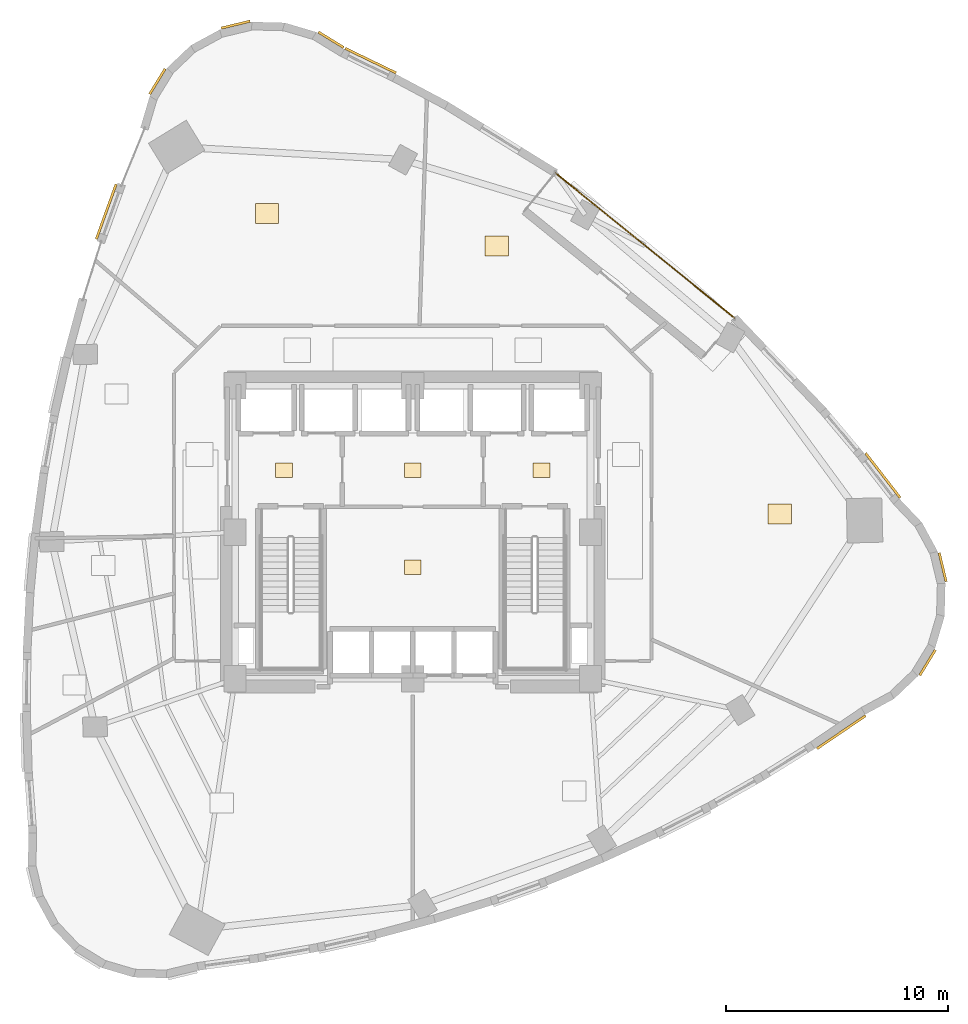
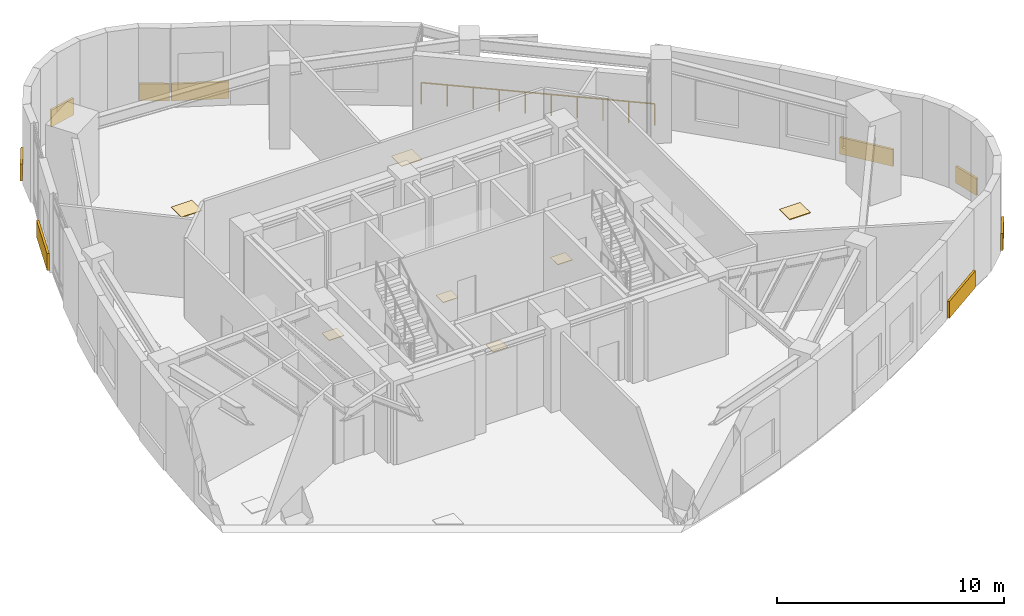
# One storey, part 16 of 16: 16 coverings, 1 railing.
"""IFC4 building model written with IfcOpenShell, lengths in metres."""

from ifc_helpers import new_model, si_unit, direction, frame, origin, origin_2d, place, context, subcontext, project, spatial, rectangle, circle, extrude, material, layer, layer_set, type_object, element, save


model = new_model("IFC4")

# Units and contexts
model_context = context("Model", 3, precision=1e-05, world=origin(), true_north=direction((0.0, 1.0)))
body_context = subcontext(model_context, "Body", "Model", "MODEL_VIEW")
ifc_project = project(units=[si_unit("LENGTHUNIT", "METRE"), si_unit("AREAUNIT", "SQUARE_METRE"), si_unit("VOLUMEUNIT", "CUBIC_METRE"), si_unit("PLANEANGLEUNIT", "RADIAN"), si_unit("MASSUNIT", "GRAM", prefix="KILO")], contexts=[model_context])

# Site, building, storey
site_placement = place(None, origin())
site = spatial("IfcSite", under=ifc_project, at=site_placement, CompositionType="ELEMENT")
building_placement = place(site_placement, origin())
building = spatial("IfcBuilding", under=site, at=building_placement, Name="Ndelora Gate Hotel", CompositionType="ELEMENT")
storey_placement = place(building_placement, frame((0.0, 0.0, 92.75)))
storey = spatial("IfcBuildingStorey", under=building, at=storey_placement, Name="L22", CompositionType="ELEMENT", Elevation=92.75)

# Coverings
ifc_material_1 = material(Name="Terracotta Fired Clay Brick Slip Cladding", Category="masonry")
ifc_layer_1 = layer(ifc_material_1, 0.110107421875)
ifc_layer_set_1 = layer_set([ifc_layer_1], Name="Terracotta Fired Clay Brick Slip Cladding")
covering_type_1 = type_object("IfcCoveringType", Name="COV-CLAD-BRK", PredefinedType="CLADDING", material=ifc_layer_set_1)
for number, where, z_axis, x_axis, name in (
    (1, (-3.680419921875, 22.176025390625, 0.10009765625), (0.0, 0.0, 1.0), (-0.852640164354, 0.522498564716, 0.0), "L22 Rounded-Corner Brick Cladding Band 1"),
    (2, (-7.97900390625, 22.85693359375, 0.10009765625), (0.0, 0.0, 1.0), (0.972369920398, 0.233445363856, 0.0), "L22 Rounded-Corner Brick Cladding Band 4"),
    (3, (-11.5, 20.298583984375, 0.10009765625), (0.0, 0.0, 1.0), (0.522498564716, 0.852640164354, 0.0), "L22 Rounded-Corner Brick Cladding Band 7"),
):
    element("IfcCovering", number, at=place(storey_placement, frame(where, z_axis=z_axis, x_axis=x_axis)), inside=storey, type_object=covering_type_1, Name=name, PredefinedType="CLADDING", context=body_context, shape_type="SweptSolid", body=[
        extrude(rectangle(XDim=1.3359375, YDim=0.110107421875, at=origin_2d()), origin(), (0.0, 0.0, 1.0), 0.89990234375),
    ])
covering_1_placement = place(storey_placement, frame((-13.8037109375, 14.436279296875, 0.10009765625), z_axis=(0.0, 0.0, 1.0), x_axis=(0.339230517808, 0.940703277228, 0.0)))
element("IfcCovering", 4, at=covering_1_placement, inside=storey, type_object=covering_type_1, Name="L22 Rounded-Corner Brick Cladding Band 10", PredefinedType="CLADDING", context=body_context, shape_type="SweptSolid", body=[
    extrude(rectangle(XDim=2.6279296875, YDim=0.110107421875, at=origin_2d()), origin(), (0.0, 0.0, 1.0), 0.89990234375),
])
covering_2_placement = place(storey_placement, frame((19.295654296875, -9.00390625, 0.10009765625), z_axis=(0.0, 0.0, 1.0), x_axis=(0.827472780913, 0.561505829755, 0.0)))
element("IfcCovering", 5, at=covering_2_placement, inside=storey, type_object=covering_type_1, Name="L22 Rounded-Corner Brick Cladding Band 40", PredefinedType="CLADDING", context=body_context, shape_type="SweptSolid", body=[
    extrude(rectangle(XDim=2.65087890625, YDim=0.110107421875, at=origin_2d()), origin(), (0.0, 0.0, 1.0), 0.89990234375),
])
for number, where, z_axis, x_axis, name in (
    (6, (23.180419921875, -5.87451171875, 0.10009765625), (0.0, 0.0, 1.0), (0.522498564716, 0.852640164354, 0.0), "L22 Rounded-Corner Brick Cladding Band 43"),
    (7, (23.861083984375, -1.575927734375, 0.10009765625), (0.0, 0.0, 1.0), (-0.233445363856, 0.972369920398, 0.0), "L22 Rounded-Corner Brick Cladding Band 46"),
):
    element("IfcCovering", number, at=place(storey_placement, frame(where, z_axis=z_axis, x_axis=x_axis)), inside=storey, type_object=covering_type_1, Name=name, PredefinedType="CLADDING", context=body_context, shape_type="SweptSolid", body=[
        extrude(rectangle(XDim=1.3359375, YDim=0.110107421875, at=origin_2d()), origin(), (0.0, 0.0, 1.0), 0.89990234375),
    ])
for number, where, z_axis, x_axis, name in (
    (8, (21.168212890625, 2.5576171875, 0.10009765625), (0.0, 0.0, 1.0), (-0.612769136253, 0.790261972801, 0.0), "L22 Rounded-Corner Brick Cladding Band 49"),
    (9, (-1.8994140625, 21.2373046875, 0.10009765625), (0.0, 0.0, 1.0), (-0.900394719846, 0.435073957475, 0.0), "L22 Rounded-Corner Brick Cladding Band 58"),
):
    element("IfcCovering", number, at=place(storey_placement, frame(where, z_axis=z_axis, x_axis=x_axis)), inside=storey, type_object=covering_type_1, Name=name, PredefinedType="CLADDING", context=body_context, shape_type="SweptSolid", body=[
        extrude(rectangle(XDim=2.5419921875, YDim=0.110107421875, at=origin_2d()), origin(), (0.0, 0.0, 1.0), 0.89990234375),
    ])
ifc_material_2 = material(Name="Engineered Highland Oak Parquet", Category="wood")
ifc_layer_2 = layer(ifc_material_2, 0.030029296875)
ifc_layer_set_2 = layer_set([ifc_layer_2], Name="Engineered Highland Oak Parquet")
covering_type_2 = type_object("IfcCoveringType", Name="COV-FLR-PARQ", PredefinedType="FLOORING", material=ifc_layer_set_2)
for number, where, z_axis, x_axis, name in (
    (10, (16.523193359375, 0.824462890625, 0.0), (0.0, 0.0, 1.0), (1.0, 0.0, 0.0), "L22 Aromatherapy Thermal Treatment Suite Oak Parquet Flooring"),
    (11, (3.77685546875, 12.89111328125, 0.0), (0.0, 0.0, 1.0), (1.0, 0.0, 0.0), "L22 Sky Garden Tea Dining Room Oak Parquet Flooring"),
    (12, (-6.559814453125, 14.343505859375, 0.0), (0.0, 0.0, 1.0), (1.0, 0.0, 0.0), "L22 Sauna and Wellness Gym Oak Parquet Flooring"),
):
    element("IfcCovering", number, at=place(storey_placement, frame(where, z_axis=z_axis, x_axis=x_axis)), inside=storey, type_object=covering_type_2, Name=name, PredefinedType="FLOORING", context=body_context, shape_type="SweptSolid", body=[
        extrude(rectangle(XDim=1.050048828125, YDim=0.89990234375, at=origin_2d()), origin(), (0.0, 0.0, 1.0), 0.030029296875),
    ])
ifc_material_3 = material(Name="Non-Slip Porcelain Wet-Room Tile", Category="ceramic")
ifc_layer_3 = layer(ifc_material_3, 0.02490234375)
ifc_layer_set_3 = layer_set([ifc_layer_3], Name="Non-Slip Porcelain Wet-Room Tile")
covering_type_3 = type_object("IfcCoveringType", Name="COV-FLR-TILE", PredefinedType="FLOORING", material=ifc_layer_set_3)
for number, where, z_axis, x_axis, name in (
    (13, (-5.800048828125, 2.800048828125, 0.0), (0.0, 0.0, 1.0), (1.0, 0.0, 0.0), "L22 Firefighting Lift Lobby West Porcelain Tile Flooring"),
    (14, (5.800048828125, 2.800048828125, 0.0), (0.0, 0.0, 1.0), (1.0, 0.0, 0.0), "L22 Firefighting Lift Lobby East Porcelain Tile Flooring"),
    (15, (0.0, 2.800048828125, 0.0), (0.0, 0.0, 1.0), (1.0, 0.0, 0.0), "L22 Central Passenger Lift Lobby Porcelain Tile Flooring"),
    (16, (0.0, -1.574951171875, 0.0), (0.0, 0.0, 1.0), (1.0, 0.0, 0.0), "L22 Core Electrical and Linen Service Store Porcelain Tile Flooring"),
):
    element("IfcCovering", number, at=place(storey_placement, frame(where, z_axis=z_axis, x_axis=x_axis)), inside=storey, type_object=covering_type_3, Name=name, PredefinedType="FLOORING", context=body_context, shape_type="SweptSolid", body=[
        extrude(rectangle(XDim=0.75, YDim=0.64990234375, at=origin_2d()), origin(), (0.0, 0.0, 1.0), 0.02490234375),
    ])

# Railing
ifc_material_4 = material(Name="Laminated Safety Glass and Bronze Top Rail", Category="glass")
ifc_layer_4 = layer(ifc_material_4, 0.070068359375)
ifc_layer_set_4 = layer_set([ifc_layer_4], Name="Laminated Safety Glass and Bronze Top Rail")
railing_type = type_object("IfcRailingType", Name="RL-BAL-1150", PredefinedType="BALUSTRADE", material=ifc_layer_set_4)
railing_placement = place(storey_placement, frame((14.497802734375, 9.640380859375, 0.0)))
element("IfcRailing", 17, at=railing_placement, inside=storey, type_object=railing_type, Name="L22 Sky-Garden Loggia Terrace Balustrade", PredefinedType="BALUSTRADE", context=body_context, shape_type="SweptSolid", body=[
    extrude(circle(Radius=0.02392578125, at=origin_2d()), frame((0.0, 0.0, 1.1357421875), z_axis=(-0.77715411514, 0.629310321956, 0.0), x_axis=(-0.629310321956, -0.77715411514, 0.0)), (0.0, 0.0, 1.0), 10.400146484375),
    extrude(circle(Radius=0.02099609375, at=origin_2d()), origin(), (0.0, 0.0, 1.0), 1.11181640625),
    extrude(circle(Radius=0.02099609375, at=origin_2d()), frame((-0.89794921875, 0.727294921875, 0.0)), (0.0, 0.0, 1.0), 1.11181640625),
    extrude(circle(Radius=0.02099609375, at=origin_2d()), frame((-1.796142578125, 1.454345703125, 0.0)), (0.0, 0.0, 1.0), 1.11181640625),
    extrude(circle(Radius=0.02099609375, at=origin_2d()), frame((-2.694091796875, 2.181640625, 0.0)), (0.0, 0.0, 1.0), 1.11181640625),
    extrude(circle(Radius=0.02099609375, at=origin_2d()), frame((-3.59228515625, 2.908935546875, 0.0)), (0.0, 0.0, 1.0), 1.11181640625),
    extrude(circle(Radius=0.02099609375, at=origin_2d()), frame((-4.490234375, 3.635986328125, 0.0)), (0.0, 0.0, 1.0), 1.11181640625),
    extrude(circle(Radius=0.02099609375, at=origin_2d()), frame((-5.388427734375, 4.36328125, 0.0)), (0.0, 0.0, 1.0), 1.11181640625),
    extrude(circle(Radius=0.02099609375, at=origin_2d()), frame((-6.286376953125, 5.090576171875, 0.0)), (0.0, 0.0, 1.0), 1.11181640625),
    extrude(circle(Radius=0.02099609375, at=origin_2d()), frame((-7.1845703125, 5.817626953125, 0.0)), (0.0, 0.0, 1.0), 1.11181640625),
    extrude(circle(Radius=0.02099609375, at=origin_2d()), frame((-8.08251953125, 6.544921875, 0.0)), (0.0, 0.0, 1.0), 1.11181640625),
])

save(model, "model.ifc")
